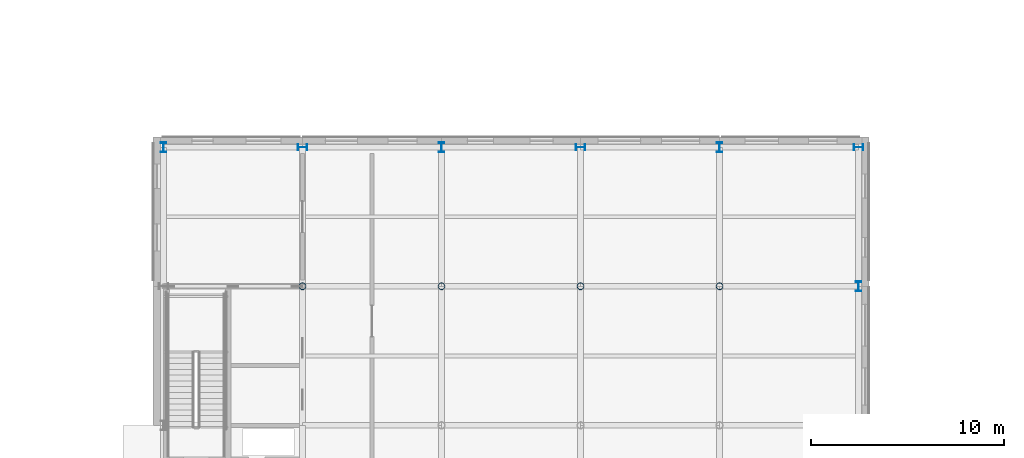
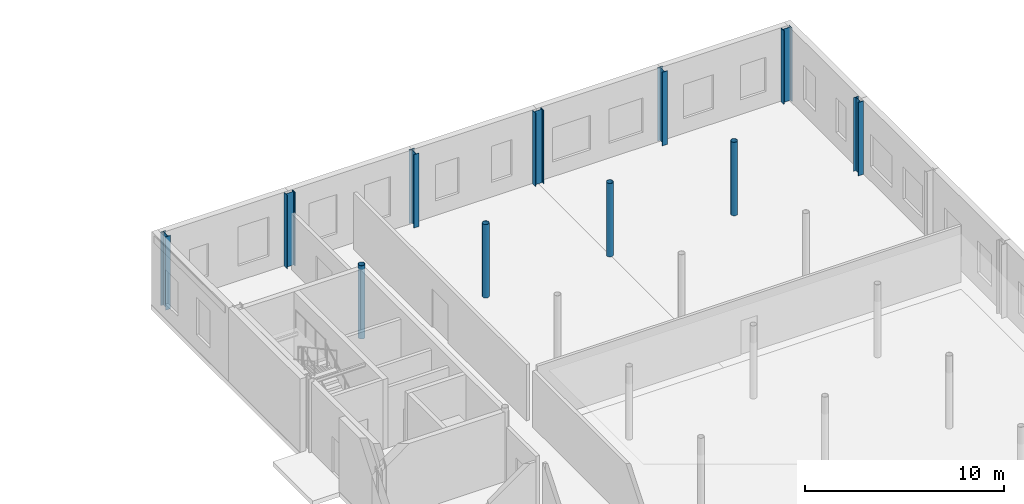
# One storey, part 20 of 92: 11 columns.
"""IFC4 building model written with IfcOpenShell, lengths in metres."""

import ifcopenshell
import ifcopenshell.guid

model = None  # the IFC model being written
_history = None  # IfcOwnerHistory: only IFC2X3 demands one
_inside = {}  # id of a spatial element -> (the spatial element, [elements in it])
_under = {}  # id of a project, library or spatial element -> (it, [spatial elements below it])
_declared = {}  # id of a project -> (the project, [libraries it declares])
_typed = {}  # id of a type object -> (the type object, [elements of that type])
_made_of = {}  # id of a material, layer set ... -> (it, [elements and type objects made of it])


def new_model(schema):
    """Start an empty IFC model of exactly this schema.

    Asked for "IFC4X3", IfcOpenShell would pick the latest addendum, in which some entities
    have other attributes; the version numbers below select the first issue.
    IFC2X3 requires an IfcOwnerHistory on every rooted entity: one is made here for all.
    """
    global model, _history
    if schema == "IFC4X3":
        model = ifcopenshell.file(schema_version=(4, 3, 0, 0))
    else:
        model = ifcopenshell.file(schema=schema)
    _inside.clear()
    _under.clear()
    _declared.clear()
    _typed.clear()
    _made_of.clear()
    _history = None
    if model.schema == "IFC2X3":
        org = make("IfcOrganization", Name="unknown")
        user = make(
            "IfcPersonAndOrganization",
            ThePerson=make("IfcPerson", FamilyName="unknown"),
            TheOrganization=org,
        )
        app = make(
            "IfcApplication",
            ApplicationDeveloper=org,
            Version="unknown",
            ApplicationFullName="unknown",
            ApplicationIdentifier="unknown",
        )
        _history = make(
            "IfcOwnerHistory",
            OwningUser=user,
            OwningApplication=app,
            ChangeAction="ADDED",
            CreationDate=0,
        )
    return model


def make(cls, **values):
    """One entity of the class cls with the attributes given. An attribute that is None is left unset."""
    return model.create_entity(
        cls, **{name: value for name, value in values.items() if value is not None}
    )


def rooted(cls, **values):
    """An entity with a GlobalId (a new one), such as an element, a storey or a relation."""
    return make(cls, GlobalId=ifcopenshell.guid.new(), OwnerHistory=_history, **values)


def si_unit(unit_type, name, prefix=None):
    """IfcSIUnit, for example si_unit("LENGTHUNIT", "METRE", prefix="MILLI")."""
    return make("IfcSIUnit", UnitType=unit_type, Prefix=prefix, Name=name)


def assignment(units):
    """IfcUnitAssignment: the units of a project."""
    return None if units is None else make("IfcUnitAssignment", Units=units)


def point(xyz):
    """IfcCartesianPoint."""
    return None if xyz is None else make("IfcCartesianPoint", Coordinates=xyz)


def direction(xyz):
    """IfcDirection."""
    return None if xyz is None else make("IfcDirection", DirectionRatios=xyz)


def frame(location, z_axis=None, x_axis=None):
    """IfcAxis2Placement3D, a coordinate frame: its origin and axes. An axis left out is left unset."""
    return make(
        "IfcAxis2Placement3D",
        Location=point(location),
        Axis=direction(z_axis),
        RefDirection=direction(x_axis),
    )


def frame_2d(location, x_axis=None):
    """IfcAxis2Placement2D, a coordinate frame in the plane: its origin and x axis."""
    return make(
        "IfcAxis2Placement2D", Location=point(location), RefDirection=direction(x_axis)
    )


def origin():
    """The frame at (0, 0, 0) with its axes left unset."""
    return frame((0.0, 0.0, 0.0))


def origin_2d():
    """The frame at (0, 0) in the plane with its x axis left unset."""
    return frame_2d((0.0, 0.0))


def place(relative_to, where):
    """IfcLocalPlacement: puts the frame where relative to a parent placement (None: the world)."""
    return make(
        "IfcLocalPlacement", PlacementRelTo=relative_to, RelativePlacement=where
    )


def context(
    kind, dimensions, precision=None, world=None, true_north=None, identifier=None
):
    """IfcGeometricRepresentationContext, for example the 3D "Model" context."""
    return make(
        "IfcGeometricRepresentationContext",
        ContextIdentifier=identifier,
        ContextType=kind,
        CoordinateSpaceDimension=dimensions,
        Precision=precision,
        WorldCoordinateSystem=world,
        TrueNorth=true_north,
    )


def subcontext(parent, identifier, kind, view, scale=None):
    """IfcGeometricRepresentationSubContext, for example "Body" below "Model"."""
    return make(
        "IfcGeometricRepresentationSubContext",
        ContextIdentifier=identifier,
        ContextType=kind,
        ParentContext=parent,
        TargetScale=scale,
        TargetView=view,
    )


def project(units=None, contexts=None):
    """IfcProject with its units and contexts."""
    return rooted(
        "IfcProject",
        Name="project",
        RepresentationContexts=contexts,
        UnitsInContext=assignment(units),
    )


def spatial(cls, under=None, at=None, **own):
    """A site, building, storey or space (cls), placed at a placement, below another one or the project."""
    s = rooted(cls, ObjectPlacement=at, **own)
    if under is not None:
        _under.setdefault(under.id(), (under, []))[1].append(s)
    return s


def profile(cls, at=None, kind="AREA", **sizes):
    """A parametric profile (cls). Its sizes go by their IFC names, for example OverallWidth=200.0."""
    return make(cls, ProfileType=kind, Position=at, **sizes)


def hollow_circle(**sizes):
    """IfcCircleHollowProfileDef."""
    return profile("IfcCircleHollowProfileDef", **sizes)


def i_section(**sizes):
    """IfcIShapeProfileDef."""
    return profile("IfcIShapeProfileDef", **sizes)


def extrude(swept, where, along, depth):
    """IfcExtrudedAreaSolid: the profile swept, set in the frame where, extruded along a direction by depth."""
    return make(
        "IfcExtrudedAreaSolid",
        SweptArea=swept,
        Position=where,
        ExtrudedDirection=direction(along),
        Depth=depth,
    )


def shape(context_of_items, identifier, shape_type, items):
    """IfcShapeRepresentation: the items that make up one representation, for example the "Body"."""
    return make(
        "IfcShapeRepresentation",
        ContextOfItems=context_of_items,
        RepresentationIdentifier=identifier,
        RepresentationType=shape_type,
        Items=items,
    )


def material(Name=None, Category=None):
    """IfcMaterial."""
    return make("IfcMaterial", Name=Name, Category=Category)


def material_profile(
    of_material, cross_section, Name=None, Category=None, Priority=None
):
    """IfcMaterialProfile: a cross section and its material."""
    return make(
        "IfcMaterialProfile",
        Name=Name,
        Material=of_material,
        Profile=cross_section,
        Priority=Priority,
        Category=Category,
    )


def profile_set(profiles, Name=None, composite=None):
    """IfcMaterialProfileSet."""
    return make(
        "IfcMaterialProfileSet",
        Name=Name,
        MaterialProfiles=profiles,
        CompositeProfile=composite,
    )


def made_of(thing, what):
    """Note that an element or type object is made of a material, layer set ...; save() writes the relation."""
    if what is not None:
        _made_of.setdefault(what.id(), (what, []))[1].append(thing)
    return thing


def type_object(cls, material=None, **own):
    """A type object (cls), such as IfcWallType, which elements share."""
    return made_of(rooted(cls, **own), material)


def element(
    cls,
    number,
    at=None,
    inside=None,
    cuts=None,
    type_object=None,
    material=None,
    context=None,
    identifier="Body",
    shape_type=None,
    held_by="IfcProductDefinitionShape",
    body=None,
    shapes=None,
    **own,
):
    """One element of the class cls, such as IfcWall. Its Tag is "e" and its number.

    at: its placement. inside: the storey or other place that contains it. cuts: it is an
    opening in that element (IfcRelVoidsElement). A single representation is given by context,
    identifier, shape_type and body (its items); several are given by shapes. held_by: the class
    of the entity that holds the representations. save() writes the other relations.
    """
    e = rooted(cls, Tag="e%d" % number, ObjectPlacement=at, **own)
    if body is not None:
        shapes = [shape(context, identifier, shape_type, body)]
    if shapes is not None:
        e.Representation = make(held_by, Representations=shapes)
    if inside is not None:
        _inside.setdefault(inside.id(), (inside, []))[1].append(e)
    if cuts is not None:
        rooted(
            "IfcRelVoidsElement", RelatingBuildingElement=cuts, RelatedOpeningElement=e
        )
    if type_object is not None:
        _typed.setdefault(type_object.id(), (type_object, []))[1].append(e)
    return made_of(e, material)


def aggregate(whole, parts):
    """IfcRelAggregates: a whole, such as a stair, and the parts it consists of."""
    return rooted("IfcRelAggregates", RelatingObject=whole, RelatedObjects=parts)


def save(model, path):
    """Write the relations noted so far, then the file.

    IfcRelAggregates (storeys below a building ...), IfcRelContainedInSpatialStructure (elements
    in a storey), IfcRelDefinesByType, IfcRelAssociatesMaterial and IfcRelDeclares: one each for
    every whole, place, type object, material and project.
    """
    for whole, parts in _under.values():
        aggregate(whole, parts)
    for where, things in _inside.values():
        rooted(
            "IfcRelContainedInSpatialStructure",
            RelatedElements=things,
            RelatingStructure=where,
        )
    for kind, things in _typed.values():
        rooted("IfcRelDefinesByType", RelatedObjects=things, RelatingType=kind)
    for what, things in _made_of.values():
        rooted("IfcRelAssociatesMaterial", RelatedObjects=things, RelatingMaterial=what)
    for by, libraries in _declared.values():
        rooted("IfcRelDeclares", RelatingContext=by, RelatedDefinitions=libraries)
    model.write(path)


model = new_model("IFC4")

# Units and contexts
model_context = context("Model", 3, precision=1e-05, world=origin(), true_north=direction((0.0, 1.0)))
body_context = subcontext(model_context, "Body", "Model", "MODEL_VIEW")
ifc_project = project(units=[si_unit("LENGTHUNIT", "METRE"), si_unit("AREAUNIT", "SQUARE_METRE"), si_unit("VOLUMEUNIT", "CUBIC_METRE"), si_unit("PLANEANGLEUNIT", "RADIAN"), si_unit("MASSUNIT", "GRAM", prefix="KILO")], contexts=[model_context])

# Site, building, storey
site_placement = place(None, origin())
site = spatial("IfcSite", under=ifc_project, at=site_placement, CompositionType="ELEMENT")
building_placement = place(site_placement, origin())
building = spatial("IfcBuilding", under=site, at=building_placement, Name="Zlatovets Crest Museum", CompositionType="ELEMENT")
storey_placement = place(building_placement, origin())
storey = spatial("IfcBuildingStorey", under=building, at=storey_placement, Name="L00", CompositionType="ELEMENT", Elevation=0.0)

# Columns
ifc_material = material(Name="Structural steel S355J2", Category="steel")
ifc_material_profile_1 = material_profile(ifc_material, i_section(OverallWidth=0.300048828125, OverallDepth=0.5, WebThickness=0.014404296875, FlangeThickness=0.028076171875, FilletRadius=0.027099609375, at=origin_2d()), Name="HEB 500")
ifc_profile_set_1 = profile_set([ifc_material_profile_1], Name="Structural steel S355J2")
column_type_1 = type_object("IfcColumnType", Name="Col_C-05", PredefinedType="COLUMN", material=ifc_profile_set_1)
for number, where, z_axis, x_axis, name in (
    (1, (129.60009765625, 100.800048828125, 0.0), (0.0, 0.0, 1.0), (1.0, 0.0, 0.0), "V5 L00 Column (129.6, 100.8)"),
    (2, (136.800048828125, 100.800048828125, 0.0), (0.0, 0.0, 1.0), (0.0, 1.0, 0.0), "V5 L00 Column (136.8, 100.8)"),
    (3, (144.0, 100.800048828125, 0.0), (0.0, 0.0, 1.0), (1.0, 0.0, 0.0), "V5 L00 Column (144.0, 100.8)"),
    (4, (151.199951171875, 100.800048828125, 0.0), (0.0, 0.0, 1.0), (0.0, 1.0, 0.0), "V5 L00 Column (151.2, 100.8)"),
    (5, (158.39990234375, 100.800048828125, 0.0), (0.0, 0.0, 1.0), (1.0, 0.0, 0.0), "V5 L00 Column (158.4, 100.8)"),
    (6, (165.60009765625, 93.60009765625, 0.0), (0.0, 0.0, 1.0), (1.0, 0.0, 0.0), "V5 L00 Column (165.6, 93.6)"),
    (7, (165.60009765625, 100.800048828125, 0.0), (0.0, 0.0, 1.0), (0.0, 1.0, 0.0), "V5 L00 Column (165.6, 100.8)"),
):
    element("IfcColumn", number, at=place(storey_placement, frame(where, z_axis=z_axis, x_axis=x_axis)), inside=storey, type_object=column_type_1, Name=name, PredefinedType="COLUMN", context=body_context, shape_type="SweptSolid", body=[
        extrude(i_section(OverallWidth=0.300048828125, OverallDepth=0.5, WebThickness=0.014404296875, FlangeThickness=0.028076171875, FilletRadius=0.027099609375, at=origin_2d()), origin(), (0.0, 0.0, 1.0), 4.5),
    ])
ifc_material_profile_2 = material_profile(ifc_material, hollow_circle(Radius=0.177734375, WallThickness=0.01416015625, at=origin_2d()), Name="CHS 355.6x14.2")
ifc_profile_set_2 = profile_set([ifc_material_profile_2], Name="Structural steel S355J2")
column_type_2 = type_object("IfcColumnType", Name="Col_C-20", PredefinedType="COLUMN", material=ifc_profile_set_2)
for number, where, z_axis, x_axis, name in (
    (8, (136.800048828125, 93.60009765625, 0.0), (0.0, 0.0, 1.0), (1.0, 0.0, 0.0), "V5 L00 Column (136.8, 93.6)"),
    (9, (144.0, 93.60009765625, 0.0), (0.0, 0.0, 1.0), (0.0, 1.0, 0.0), "V5 L00 Column (144.0, 93.6)"),
    (10, (151.199951171875, 93.60009765625, 0.0), (0.0, 0.0, 1.0), (1.0, 0.0, 0.0), "V5 L00 Column (151.2, 93.6)"),
    (11, (158.39990234375, 93.60009765625, 0.0), (0.0, 0.0, 1.0), (0.0, 1.0, 0.0), "V5 L00 Column (158.4, 93.6)"),
):
    element("IfcColumn", number, at=place(storey_placement, frame(where, z_axis=z_axis, x_axis=x_axis)), inside=storey, type_object=column_type_2, Name=name, PredefinedType="COLUMN", context=body_context, shape_type="SweptSolid", body=[
        extrude(hollow_circle(Radius=0.177734375, WallThickness=0.01416015625, at=origin_2d()), origin(), (0.0, 0.0, 1.0), 4.5),
    ])

save(model, "model.ifc")
